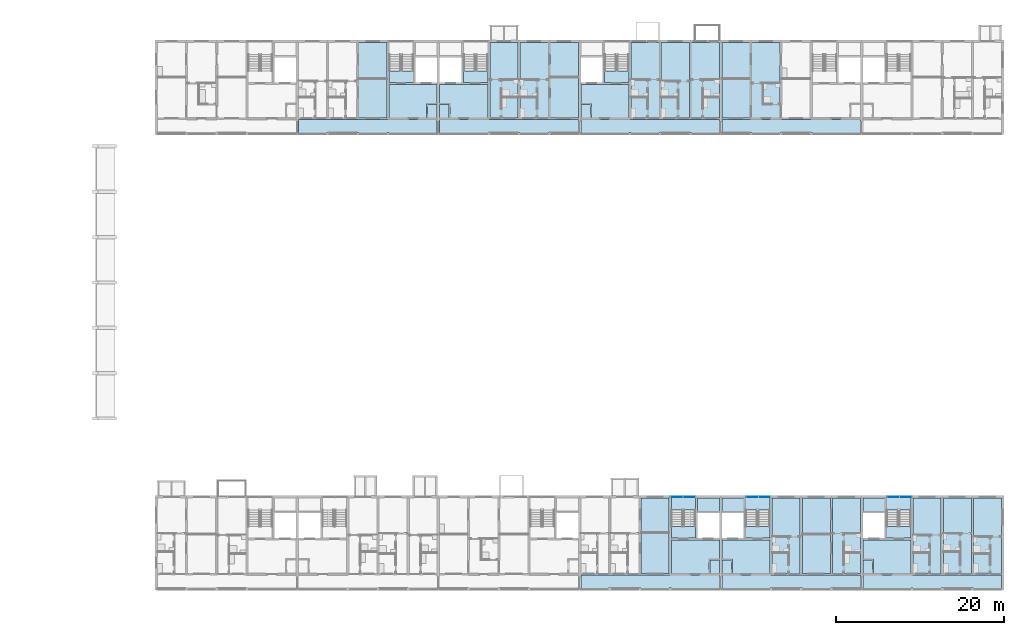
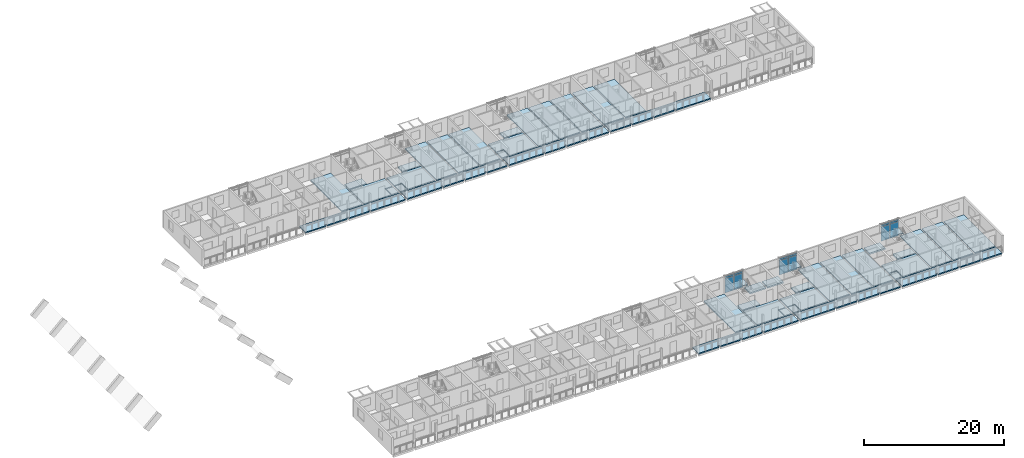
# One storey, part 28 of 98: 47 slabs, 12 plates, 6 elements without a shape of their own.
"""IFC4 building model written with IfcOpenShell, lengths in metres."""

from ifc_helpers import new_model, si_unit, direction, frame, origin, origin_2d, place, context, subcontext, project, spatial, polyline, rectangle, outline, extrude, material, layer, layer_set, type_object, element, aggregate, save


model = new_model("IFC4")

# Units and contexts
model_context = context("Model", 3, precision=1e-05, world=origin(), true_north=direction((0.0, 1.0)))
body_context = subcontext(model_context, "Body", "Model", "MODEL_VIEW")
ifc_project = project(units=[si_unit("LENGTHUNIT", "METRE"), si_unit("AREAUNIT", "SQUARE_METRE"), si_unit("VOLUMEUNIT", "CUBIC_METRE"), si_unit("PLANEANGLEUNIT", "RADIAN"), si_unit("MASSUNIT", "GRAM", prefix="KILO")], contexts=[model_context])

# Site, building, storey
site_placement = place(None, origin())
site = spatial("IfcSite", under=ifc_project, at=site_placement, CompositionType="ELEMENT")
building_placement = place(site_placement, origin())
building = spatial("IfcBuilding", under=site, at=building_placement, Name="Ridgestep Commons", CompositionType="ELEMENT")
storey_placement = place(building_placement, frame((0.0, 0.0, 12.0)))
storey = spatial("IfcBuildingStorey", under=building, at=storey_placement, Name="L04", CompositionType="ELEMENT", Elevation=12.0)

# Slabs
ifc_material_1 = material(Name="Precast concrete C40/50", Category="concrete")
ifc_layer_1 = layer(ifc_material_1, 0.199951171875)
ifc_layer_set_1 = layer_set([ifc_layer_1], Name="Gallery slab 200")
slab_type_1 = type_object("IfcSlabType", Name="Gallery slab 200", PredefinedType="FLOOR", material=ifc_layer_set_1)
slab_1_placement = place(storey_placement, frame((0.0, 0.0, -0.199951171875)))
element("IfcSlab", 1, at=slab_1_placement, inside=storey, type_object=slab_type_1, Name="Gallery slab C2 L04", PredefinedType="FLOOR", context=body_context, shape_type="SweptSolid", body=[
    extrude(outline(polyline([(180.25, 67.800048828125), (163.75, 67.800048828125), (163.75, 66.0), (167.074951171875, 66.0), (167.074951171875, 66.25), (167.324951171875, 66.25), (167.324951171875, 66.0), (170.675048828125, 66.0), (170.675048828125, 66.25), (170.925048828125, 66.25), (170.925048828125, 66.0), (174.27490234375, 66.0), (174.27490234375, 66.25), (174.52490234375, 66.25), (174.52490234375, 66.0), (180.25, 66.0), (180.25, 67.800048828125)])), origin(), (0.0, 0.0, 1.0), 0.199951171875),
])
slab_2_placement = place(storey_placement, frame((0.0, 0.0, -0.199951171875)))
element("IfcSlab", 2, at=slab_2_placement, inside=storey, type_object=slab_type_1, Name="Gallery slab C3 L04", PredefinedType="FLOOR", context=body_context, shape_type="SweptSolid", body=[
    extrude(outline(polyline([(197.050048828125, 67.800048828125), (180.550048828125, 67.800048828125), (180.550048828125, 66.0), (186.27490234375, 66.0), (186.27490234375, 66.25), (186.52490234375, 66.25), (186.52490234375, 66.0), (189.875, 66.0), (189.875, 66.25), (190.125, 66.25), (190.125, 66.0), (193.47509765625, 66.0), (193.47509765625, 66.25), (193.72509765625, 66.25), (193.72509765625, 66.0), (197.050048828125, 66.0), (197.050048828125, 67.800048828125)])), origin(), (0.0, 0.0, 1.0), 0.199951171875),
])
slab_3_placement = place(storey_placement, frame((0.0, 0.0, -0.199951171875)))
element("IfcSlab", 3, at=slab_3_placement, inside=storey, type_object=slab_type_1, Name="Gallery slab C4 L04", PredefinedType="FLOOR", context=body_context, shape_type="SweptSolid", body=[
    extrude(outline(polyline([(213.85009765625, 67.800048828125), (197.35009765625, 67.800048828125), (197.35009765625, 66.0), (203.074951171875, 66.0), (203.074951171875, 66.25), (203.324951171875, 66.25), (203.324951171875, 66.0), (206.675048828125, 66.0), (206.675048828125, 66.25), (206.925048828125, 66.25), (206.925048828125, 66.0), (210.27490234375, 66.0), (210.27490234375, 66.25), (210.52490234375, 66.25), (210.52490234375, 66.0), (213.85009765625, 66.0), (213.85009765625, 67.800048828125)])), origin(), (0.0, 0.0, 1.0), 0.199951171875),
])
slab_4_placement = place(storey_placement, frame((0.0, 0.0, -0.199951171875)))
element("IfcSlab", 4, at=slab_4_placement, inside=storey, type_object=slab_type_1, Name="Gallery slab C5 L04", PredefinedType="FLOOR", context=body_context, shape_type="SweptSolid", body=[
    extrude(outline(polyline([(230.64990234375, 67.800048828125), (214.14990234375, 67.800048828125), (214.14990234375, 66.0), (217.47509765625, 66.0), (217.47509765625, 66.25), (217.72509765625, 66.25), (217.72509765625, 66.0), (221.074951171875, 66.0), (221.074951171875, 66.25), (221.324951171875, 66.25), (221.324951171875, 66.0), (224.675048828125, 66.0), (224.675048828125, 66.25), (224.925048828125, 66.25), (224.925048828125, 66.0), (230.64990234375, 66.0), (230.64990234375, 67.800048828125)])), origin(), (0.0, 0.0, 1.0), 0.199951171875),
])
slab_5_placement = place(storey_placement, frame((0.0, 0.0, -0.199951171875)))
element("IfcSlab", 5, at=slab_5_placement, inside=storey, type_object=slab_type_1, Name="Gallery slab D4 L04", PredefinedType="FLOOR", context=body_context, shape_type="SweptSolid", body=[
    extrude(outline(polyline([(213.85009765625, 13.550048828125), (197.35009765625, 13.550048828125), (197.35009765625, 11.75), (200.675048828125, 11.75), (200.675048828125, 12.0), (200.925048828125, 12.0), (200.925048828125, 11.75), (204.27490234375, 11.75), (204.27490234375, 12.0), (204.52490234375, 12.0), (204.52490234375, 11.75), (207.875, 11.75), (207.875, 12.0), (208.125, 12.0), (208.125, 11.75), (213.85009765625, 11.75), (213.85009765625, 13.550048828125)])), origin(), (0.0, 0.0, 1.0), 0.199951171875),
])
slab_6_placement = place(storey_placement, frame((0.0, 0.0, -0.199951171875)))
element("IfcSlab", 6, at=slab_6_placement, inside=storey, type_object=slab_type_1, Name="Gallery slab D5 L04", PredefinedType="FLOOR", context=body_context, shape_type="SweptSolid", body=[
    extrude(outline(polyline([(230.64990234375, 13.550048828125), (214.14990234375, 13.550048828125), (214.14990234375, 11.75), (219.875, 11.75), (219.875, 12.0), (220.125, 12.0), (220.125, 11.75), (223.47509765625, 11.75), (223.47509765625, 12.0), (223.72509765625, 12.0), (223.72509765625, 11.75), (227.074951171875, 11.75), (227.074951171875, 12.0), (227.324951171875, 12.0), (227.324951171875, 11.75), (230.64990234375, 11.75), (230.64990234375, 13.550048828125)])), origin(), (0.0, 0.0, 1.0), 0.199951171875),
])
slab_7_placement = place(storey_placement, frame((0.0, 0.0, -0.199951171875)))
element("IfcSlab", 7, at=slab_7_placement, inside=storey, type_object=slab_type_1, Name="Gallery slab D6 L04", PredefinedType="FLOOR", context=body_context, shape_type="SweptSolid", body=[
    extrude(outline(polyline([(247.449951171875, 13.550048828125), (230.949951171875, 13.550048828125), (230.949951171875, 11.75), (236.675048828125, 11.75), (236.675048828125, 12.0), (236.925048828125, 12.0), (236.925048828125, 11.75), (240.27490234375, 11.75), (240.27490234375, 12.0), (240.52490234375, 12.0), (240.52490234375, 11.75), (243.875, 11.75), (243.875, 12.0), (244.125, 12.0), (244.125, 11.75), (247.449951171875, 11.75), (247.449951171875, 13.550048828125)])), origin(), (0.0, 0.0, 1.0), 0.199951171875),
])

# Curtain wall, plates
ifc_material_2 = material(Name="Aluminium 6063-T6 and glass", Category="aluminium")
curtain_wall_type = type_object("IfcCurtainWallType", Name="Curtain wall stair strip", PredefinedType="NOTDEFINED", material=ifc_material_2)
curtain_wall_1_placement = place(storey_placement, origin())
curtain_wall_1 = element("IfcCurtainWall", 8, at=curtain_wall_1_placement, inside=storey, type_object=curtain_wall_type, Name="Curtain wall D4C level 04", PredefinedType="NOTDEFINED")
ifc_material_3 = material(Name="Glass laminated 6/16/6 low-emissivity", Category="glass")
ifc_layer_2 = layer(ifc_material_3, 0.028076171875)
ifc_layer_set_2 = layer_set([ifc_layer_2], Name="Glazing panel 28")
plate_type_1 = type_object("IfcPlateType", Name="Glazing panel 28", PredefinedType="CURTAIN_PANEL", material=ifc_layer_set_2)
plate_1_placement = place(storey_placement, frame((208.771240234375, 22.830078125, 0.06005859375), z_axis=(0.0, 0.0, 1.0), x_axis=(1.0, 0.0, 0.0)))
plate_1 = element("IfcPlate", 9, at=plate_1_placement, type_object=plate_type_1, Name="CW1 panel 1.1", PredefinedType="CURTAIN_PANEL", context=body_context, shape_type="SweptSolid", body=[
    extrude(rectangle(XDim=1.422607421875, YDim=0.028076171875, at=origin_2d()), origin(), (0.0, 0.0, 1.0), 2.5),
])
plate_2_placement = place(storey_placement, frame((210.253662109375, 22.830078125, 0.06005859375), z_axis=(0.0, 0.0, 1.0), x_axis=(1.0, 0.0, 0.0)))
plate_2 = element("IfcPlate", 10, at=plate_2_placement, type_object=plate_type_1, Name="CW1 panel 2.1", PredefinedType="CURTAIN_PANEL", context=body_context, shape_type="SweptSolid", body=[
    extrude(rectangle(XDim=1.422607421875, YDim=0.028076171875, at=origin_2d()), origin(), (0.0, 0.0, 1.0), 2.5),
])

curtain_wall_2_placement = place(storey_placement, origin())
curtain_wall_2 = element("IfcCurtainWall", 11, at=curtain_wall_2_placement, inside=storey, type_object=curtain_wall_type, Name="Curtain wall D5C level 04", PredefinedType="NOTDEFINED")
plate_3_placement = place(storey_placement, frame((217.746337890625, 22.830078125, 0.06005859375), z_axis=(0.0, 0.0, 1.0), x_axis=(1.0, 0.0, 0.0)))
plate_3 = element("IfcPlate", 12, at=plate_3_placement, type_object=plate_type_1, Name="CW1 panel 1.1", PredefinedType="CURTAIN_PANEL", context=body_context, shape_type="SweptSolid", body=[
    extrude(rectangle(XDim=1.422607421875, YDim=0.028076171875, at=origin_2d()), origin(), (0.0, 0.0, 1.0), 2.5),
])
plate_4_placement = place(storey_placement, frame((219.228759765625, 22.830078125, 0.06005859375), z_axis=(0.0, 0.0, 1.0), x_axis=(1.0, 0.0, 0.0)))
plate_4 = element("IfcPlate", 13, at=plate_4_placement, type_object=plate_type_1, Name="CW1 panel 2.1", PredefinedType="CURTAIN_PANEL", context=body_context, shape_type="SweptSolid", body=[
    extrude(rectangle(XDim=1.422607421875, YDim=0.028076171875, at=origin_2d()), origin(), (0.0, 0.0, 1.0), 2.5),
])

curtain_wall_3_placement = place(storey_placement, origin())
curtain_wall_3 = element("IfcCurtainWall", 14, at=curtain_wall_3_placement, inside=storey, type_object=curtain_wall_type, Name="Curtain wall D6C level 04", PredefinedType="NOTDEFINED")
plate_5_placement = place(storey_placement, frame((234.546142578125, 22.830078125, 0.06005859375), z_axis=(0.0, 0.0, 1.0), x_axis=(1.0, 0.0, 0.0)))
plate_5 = element("IfcPlate", 15, at=plate_5_placement, type_object=plate_type_1, Name="CW1 panel 1.1", PredefinedType="CURTAIN_PANEL", context=body_context, shape_type="SweptSolid", body=[
    extrude(rectangle(XDim=1.422607421875, YDim=0.028076171875, at=origin_2d()), origin(), (0.0, 0.0, 1.0), 2.5),
])
plate_6_placement = place(storey_placement, frame((236.02880859375, 22.830078125, 0.06005859375), z_axis=(0.0, 0.0, 1.0), x_axis=(1.0, 0.0, 0.0)))
plate_6 = element("IfcPlate", 16, at=plate_6_placement, type_object=plate_type_1, Name="CW1 panel 2.1", PredefinedType="CURTAIN_PANEL", context=body_context, shape_type="SweptSolid", body=[
    extrude(rectangle(XDim=1.422607421875, YDim=0.028076171875, at=origin_2d()), origin(), (0.0, 0.0, 1.0), 2.5),
])

# Slabs
ifc_material_4 = material(Name="Precast concrete C50/60", Category="concrete")
ifc_layer_3 = layer(ifc_material_4, 0.199951171875)
ifc_layer_set_3 = layer_set([ifc_layer_3], Name="Hollow-core plank 200")
slab_type_2 = type_object("IfcSlabType", Name="Hollow-core plank 200", PredefinedType="FLOOR", material=ifc_layer_set_3)
slab_8_placement = place(storey_placement, frame((0.0, 0.0, -0.199951171875)))
element("IfcSlab", 17, at=slab_8_placement, inside=storey, type_object=slab_type_2, Name="Floor plank C2T3 L04", PredefinedType="FLOOR", context=body_context, shape_type="SweptSolid", body=[
    extrude(outline(polyline([(174.27490234375, 68.0), (174.27490234375, 77.0), (170.89990234375, 77.0), (170.89990234375, 68.0), (174.27490234375, 68.0)])), origin(), (0.0, 0.0, 1.0), 0.199951171875),
])
slab_9_placement = place(storey_placement, frame((0.0, 0.0, -0.199951171875)))
element("IfcSlab", 18, at=slab_9_placement, inside=storey, type_object=slab_type_2, Name="Floor plank C3T3 L04", PredefinedType="FLOOR", context=body_context, shape_type="SweptSolid", body=[
    extrude(outline(polyline([(189.875, 68.0), (189.875, 77.0), (186.52490234375, 77.0), (186.52490234375, 68.0), (189.875, 68.0)])), origin(), (0.0, 0.0, 1.0), 0.199951171875),
])
slab_10_placement = place(storey_placement, frame((0.0, 0.0, -0.199951171875)))
element("IfcSlab", 19, at=slab_10_placement, inside=storey, type_object=slab_type_2, Name="Floor plank C3T2 L04", PredefinedType="FLOOR", context=body_context, shape_type="SweptSolid", body=[
    extrude(outline(polyline([(193.5, 68.0), (193.5, 77.0), (190.125, 77.0), (190.125, 68.0), (193.5, 68.0)])), origin(), (0.0, 0.0, 1.0), 0.199951171875),
])
slab_11_placement = place(storey_placement, frame((0.0, 0.0, -0.199951171875)))
element("IfcSlab", 20, at=slab_11_placement, inside=storey, type_object=slab_type_2, Name="Floor plank C3T1 L04", PredefinedType="FLOOR", context=body_context, shape_type="SweptSolid", body=[
    extrude(outline(polyline([(197.050048828125, 68.0), (197.050048828125, 77.0), (193.699951171875, 77.0), (193.699951171875, 68.0), (197.050048828125, 68.0)])), origin(), (0.0, 0.0, 1.0), 0.199951171875),
])
slab_12_placement = place(storey_placement, frame((0.0, 0.0, -0.199951171875)))
element("IfcSlab", 21, at=slab_12_placement, inside=storey, type_object=slab_type_2, Name="Floor plank C4T3 L04", PredefinedType="FLOOR", context=body_context, shape_type="SweptSolid", body=[
    extrude(outline(polyline([(206.699951171875, 68.0), (206.699951171875, 77.0), (203.324951171875, 77.0), (203.324951171875, 68.0), (206.699951171875, 68.0)])), origin(), (0.0, 0.0, 1.0), 0.199951171875),
])
slab_13_placement = place(storey_placement, frame((0.0, 0.0, -0.199951171875)))
element("IfcSlab", 22, at=slab_13_placement, inside=storey, type_object=slab_type_2, Name="Floor plank C4T2 L04", PredefinedType="FLOOR", context=body_context, shape_type="SweptSolid", body=[
    extrude(outline(polyline([(210.300048828125, 68.0), (210.300048828125, 77.0), (206.89990234375, 77.0), (206.89990234375, 68.0), (210.300048828125, 68.0)])), origin(), (0.0, 0.0, 1.0), 0.199951171875),
])
slab_14_placement = place(storey_placement, frame((0.0, 0.0, -0.199951171875)))
element("IfcSlab", 23, at=slab_14_placement, inside=storey, type_object=slab_type_2, Name="Floor plank C4T1 L04", PredefinedType="FLOOR", context=body_context, shape_type="SweptSolid", body=[
    extrude(outline(polyline([(213.85009765625, 68.0), (213.85009765625, 77.0), (210.5, 77.0), (210.5, 68.0), (213.85009765625, 68.0)])), origin(), (0.0, 0.0, 1.0), 0.199951171875),
])
slab_15_placement = place(storey_placement, frame((0.0, 0.0, -0.199951171875)))
element("IfcSlab", 24, at=slab_15_placement, inside=storey, type_object=slab_type_2, Name="Floor plank C5T1 L04", PredefinedType="FLOOR", context=body_context, shape_type="SweptSolid", body=[
    extrude(outline(polyline([(217.5, 68.0), (217.5, 77.0), (214.14990234375, 77.0), (214.14990234375, 68.0), (217.5, 68.0)])), origin(), (0.0, 0.0, 1.0), 0.199951171875),
])
slab_16_placement = place(storey_placement, frame((0.0, 0.0, -0.199951171875)))
element("IfcSlab", 25, at=slab_16_placement, inside=storey, type_object=slab_type_2, Name="Floor plank C5T2 L04", PredefinedType="FLOOR", context=body_context, shape_type="SweptSolid", body=[
    extrude(outline(polyline([(221.074951171875, 68.0), (221.074951171875, 77.0), (217.699951171875, 77.0), (217.699951171875, 68.0), (221.074951171875, 68.0)])), origin(), (0.0, 0.0, 1.0), 0.199951171875),
])
slab_17_placement = place(storey_placement, frame((0.0, 0.0, -0.199951171875)))
element("IfcSlab", 26, at=slab_17_placement, inside=storey, type_object=slab_type_2, Name="Floor plank D4T3 L04", PredefinedType="FLOOR", context=body_context, shape_type="SweptSolid", body=[
    extrude(outline(polyline([(207.875, 13.75), (207.875, 22.75), (204.52490234375, 22.75), (204.52490234375, 13.75), (207.875, 13.75)])), origin(), (0.0, 0.0, 1.0), 0.199951171875),
])
slab_18_placement = place(storey_placement, frame((0.0, 0.0, -0.199951171875)))
element("IfcSlab", 27, at=slab_18_placement, inside=storey, type_object=slab_type_2, Name="Floor plank D5T3 L04", PredefinedType="FLOOR", context=body_context, shape_type="SweptSolid", body=[
    extrude(outline(polyline([(223.47509765625, 13.75), (223.47509765625, 22.75), (220.125, 22.75), (220.125, 13.75), (223.47509765625, 13.75)])), origin(), (0.0, 0.0, 1.0), 0.199951171875),
])
slab_19_placement = place(storey_placement, frame((0.0, 0.0, -0.199951171875)))
element("IfcSlab", 28, at=slab_19_placement, inside=storey, type_object=slab_type_2, Name="Floor plank D5T2 L04", PredefinedType="FLOOR", context=body_context, shape_type="SweptSolid", body=[
    extrude(outline(polyline([(227.074951171875, 13.75), (227.074951171875, 22.75), (223.72509765625, 22.75), (223.72509765625, 13.75), (227.074951171875, 13.75)])), origin(), (0.0, 0.0, 1.0), 0.199951171875),
])
slab_20_placement = place(storey_placement, frame((0.0, 0.0, -0.199951171875)))
element("IfcSlab", 29, at=slab_20_placement, inside=storey, type_object=slab_type_2, Name="Floor plank D5T1 L04", PredefinedType="FLOOR", context=body_context, shape_type="SweptSolid", body=[
    extrude(outline(polyline([(230.64990234375, 13.75), (230.64990234375, 22.75), (227.324951171875, 22.75), (227.324951171875, 13.75), (230.64990234375, 13.75)])), origin(), (0.0, 0.0, 1.0), 0.199951171875),
])
slab_21_placement = place(storey_placement, frame((0.0, 0.0, -0.199951171875)))
element("IfcSlab", 30, at=slab_21_placement, inside=storey, type_object=slab_type_2, Name="Floor plank D6T3 L04", PredefinedType="FLOOR", context=body_context, shape_type="SweptSolid", body=[
    extrude(outline(polyline([(240.27490234375, 13.75), (240.27490234375, 22.75), (236.925048828125, 22.75), (236.925048828125, 13.75), (240.27490234375, 13.75)])), origin(), (0.0, 0.0, 1.0), 0.199951171875),
])
slab_22_placement = place(storey_placement, frame((0.0, 0.0, -0.199951171875)))
element("IfcSlab", 31, at=slab_22_placement, inside=storey, type_object=slab_type_2, Name="Floor plank D6T2 L04", PredefinedType="FLOOR", context=body_context, shape_type="SweptSolid", body=[
    extrude(outline(polyline([(243.875, 13.75), (243.875, 22.75), (240.52490234375, 22.75), (240.52490234375, 13.75), (243.875, 13.75)])), origin(), (0.0, 0.0, 1.0), 0.199951171875),
])
slab_23_placement = place(storey_placement, frame((0.0, 0.0, -0.199951171875)))
element("IfcSlab", 32, at=slab_23_placement, inside=storey, type_object=slab_type_2, Name="Floor plank D6T1 L04", PredefinedType="FLOOR", context=body_context, shape_type="SweptSolid", body=[
    extrude(outline(polyline([(247.449951171875, 13.75), (247.449951171875, 22.75), (244.125, 22.75), (244.125, 13.75), (247.449951171875, 13.75)])), origin(), (0.0, 0.0, 1.0), 0.199951171875),
])
ifc_material_5 = material(Name="Precast concrete C50/60", Category="concrete")
ifc_layer_4 = layer(ifc_material_5, 0.25)
ifc_layer_set_4 = layer_set([ifc_layer_4], Name="Hollow-core plank 250")
slab_type_3 = type_object("IfcSlabType", Name="Hollow-core plank 250", PredefinedType="FLOOR", material=ifc_layer_set_4)
slab_24_placement = place(storey_placement, frame((0.0, 0.0, -0.25)))
element("IfcSlab", 33, at=slab_24_placement, inside=storey, type_object=slab_type_3, Name="Floor plank C2C L04", PredefinedType="FLOOR", context=body_context, shape_type="SweptSolid", body=[
    extrude(outline(polyline([(179.1201171875, 69.719970703125), (180.25, 69.719970703125), (180.25, 72.0), (174.52490234375, 72.0), (174.52490234375, 68.0), (179.0, 68.0), (179.0, 69.719970703125), (179.1201171875, 69.719970703125)])), origin(), (0.0, 0.0, 1.0), 0.25),
])
slab_25_placement = place(storey_placement, frame((0.0, 0.0, -0.25)))
element("IfcSlab", 34, at=slab_25_placement, inside=storey, type_object=slab_type_3, Name="Floor plank C2C L04", PredefinedType="FLOOR", context=body_context, shape_type="SweptSolid", body=[
    extrude(outline(polyline([(177.425048828125, 72.199951171875), (177.425048828125, 73.60009765625), (174.52490234375, 73.60009765625), (174.52490234375, 72.199951171875), (177.425048828125, 72.199951171875)])), origin(), (0.0, 0.0, 1.0), 0.25),
])
slab_26_placement = place(storey_placement, frame((0.0, 0.0, -0.25)))
element("IfcSlab", 35, at=slab_26_placement, inside=storey, type_object=slab_type_3, Name="Floor plank C2C L04", PredefinedType="FLOOR", context=body_context, shape_type="SweptSolid", body=[
    extrude(outline(polyline([(179.1201171875, 68.0), (180.25, 68.0), (180.25, 69.60009765625), (179.1201171875, 69.60009765625), (179.1201171875, 68.0)])), origin(), (0.0, 0.0, 1.0), 0.25),
])
slab_27_placement = place(storey_placement, frame((0.0, 0.0, -0.25)))
element("IfcSlab", 36, at=slab_27_placement, inside=storey, type_object=slab_type_3, Name="Floor plank C3C L04", PredefinedType="FLOOR", context=body_context, shape_type="SweptSolid", body=[
    extrude(outline(polyline([(181.800048828125, 68.0), (186.27490234375, 68.0), (186.27490234375, 72.0), (180.550048828125, 72.0), (180.550048828125, 69.719970703125), (181.679931640625, 69.719970703125), (181.800048828125, 69.719970703125), (181.800048828125, 68.0)])), origin(), (0.0, 0.0, 1.0), 0.25),
])
slab_28_placement = place(storey_placement, frame((0.0, 0.0, -0.25)))
element("IfcSlab", 37, at=slab_28_placement, inside=storey, type_object=slab_type_3, Name="Floor plank C3C L04", PredefinedType="FLOOR", context=body_context, shape_type="SweptSolid", body=[
    extrude(outline(polyline([(186.27490234375, 72.199951171875), (186.27490234375, 73.60009765625), (183.375, 73.60009765625), (183.375, 72.199951171875), (186.27490234375, 72.199951171875)])), origin(), (0.0, 0.0, 1.0), 0.25),
])
slab_29_placement = place(storey_placement, frame((0.0, 0.0, -0.25)))
element("IfcSlab", 38, at=slab_29_placement, inside=storey, type_object=slab_type_3, Name="Floor plank C3C L04", PredefinedType="FLOOR", context=body_context, shape_type="SweptSolid", body=[
    extrude(outline(polyline([(181.679931640625, 69.60009765625), (180.550048828125, 69.60009765625), (180.550048828125, 68.0), (181.679931640625, 68.0), (181.679931640625, 69.60009765625)])), origin(), (0.0, 0.0, 1.0), 0.25),
])
slab_30_placement = place(storey_placement, frame((0.0, 0.0, -0.25)))
element("IfcSlab", 39, at=slab_30_placement, inside=storey, type_object=slab_type_3, Name="Floor plank C4C L04", PredefinedType="FLOOR", context=body_context, shape_type="SweptSolid", body=[
    extrude(outline(polyline([(198.60009765625, 68.0), (203.074951171875, 68.0), (203.074951171875, 72.0), (197.35009765625, 72.0), (197.35009765625, 69.719970703125), (198.47998046875, 69.719970703125), (198.60009765625, 69.719970703125), (198.60009765625, 68.0)])), origin(), (0.0, 0.0, 1.0), 0.25),
])
slab_31_placement = place(storey_placement, frame((0.0, 0.0, -0.25)))
element("IfcSlab", 40, at=slab_31_placement, inside=storey, type_object=slab_type_3, Name="Floor plank C4C L04", PredefinedType="FLOOR", context=body_context, shape_type="SweptSolid", body=[
    extrude(outline(polyline([(203.074951171875, 72.199951171875), (203.074951171875, 73.60009765625), (200.175048828125, 73.60009765625), (200.175048828125, 72.199951171875), (203.074951171875, 72.199951171875)])), origin(), (0.0, 0.0, 1.0), 0.25),
])
slab_32_placement = place(storey_placement, frame((0.0, 0.0, -0.25)))
element("IfcSlab", 41, at=slab_32_placement, inside=storey, type_object=slab_type_3, Name="Floor plank C4C L04", PredefinedType="FLOOR", context=body_context, shape_type="SweptSolid", body=[
    extrude(outline(polyline([(198.47998046875, 69.60009765625), (197.35009765625, 69.60009765625), (197.35009765625, 68.0), (198.47998046875, 68.0), (198.47998046875, 69.60009765625)])), origin(), (0.0, 0.0, 1.0), 0.25),
])
slab_33_placement = place(storey_placement, frame((0.0, 0.0, -0.25)))
element("IfcSlab", 42, at=slab_33_placement, inside=storey, type_object=slab_type_3, Name="Floor plank D4C L04", PredefinedType="FLOOR", context=body_context, shape_type="SweptSolid", body=[
    extrude(outline(polyline([(212.719970703125, 15.469970703125), (213.85009765625, 15.469970703125), (213.85009765625, 17.75), (208.125, 17.75), (208.125, 13.75), (212.60009765625, 13.75), (212.60009765625, 15.469970703125), (212.719970703125, 15.469970703125)])), origin(), (0.0, 0.0, 1.0), 0.25),
])
slab_34_placement = place(storey_placement, frame((0.0, 0.0, -0.25)))
element("IfcSlab", 43, at=slab_34_placement, inside=storey, type_object=slab_type_3, Name="Floor plank D4C L04", PredefinedType="FLOOR", context=body_context, shape_type="SweptSolid", body=[
    extrude(outline(polyline([(213.85009765625, 21.14990234375), (213.85009765625, 22.75), (211.22509765625, 22.75), (211.22509765625, 21.14990234375), (213.85009765625, 21.14990234375)])), origin(), (0.0, 0.0, 1.0), 0.25),
])
slab_35_placement = place(storey_placement, frame((0.0, 0.0, -0.25)))
element("IfcSlab", 44, at=slab_35_placement, inside=storey, type_object=slab_type_3, Name="Floor plank D4C L04", PredefinedType="FLOOR", context=body_context, shape_type="SweptSolid", body=[
    extrude(outline(polyline([(211.02490234375, 17.949951171875), (211.02490234375, 19.35009765625), (208.125, 19.35009765625), (208.125, 17.949951171875), (211.02490234375, 17.949951171875)])), origin(), (0.0, 0.0, 1.0), 0.25),
])
slab_36_placement = place(storey_placement, frame((0.0, 0.0, -0.25)))
element("IfcSlab", 45, at=slab_36_placement, inside=storey, type_object=slab_type_3, Name="Floor plank D4C L04", PredefinedType="FLOOR", context=body_context, shape_type="SweptSolid", body=[
    extrude(outline(polyline([(212.719970703125, 13.75), (213.85009765625, 13.75), (213.85009765625, 15.35009765625), (212.719970703125, 15.35009765625), (212.719970703125, 13.75)])), origin(), (0.0, 0.0, 1.0), 0.25),
])
slab_37_placement = place(storey_placement, frame((0.0, 0.0, -0.25)))
element("IfcSlab", 46, at=slab_37_placement, inside=storey, type_object=slab_type_3, Name="Floor plank D5C L04", PredefinedType="FLOOR", context=body_context, shape_type="SweptSolid", body=[
    extrude(outline(polyline([(215.39990234375, 13.75), (219.875, 13.75), (219.875, 17.75), (214.14990234375, 17.75), (214.14990234375, 15.469970703125), (215.280029296875, 15.469970703125), (215.39990234375, 15.469970703125), (215.39990234375, 13.75)])), origin(), (0.0, 0.0, 1.0), 0.25),
])
slab_38_placement = place(storey_placement, frame((0.0, 0.0, -0.25)))
element("IfcSlab", 47, at=slab_38_placement, inside=storey, type_object=slab_type_3, Name="Floor plank D5C L04", PredefinedType="FLOOR", context=body_context, shape_type="SweptSolid", body=[
    extrude(outline(polyline([(216.77490234375, 22.75), (214.14990234375, 22.75), (214.14990234375, 21.14990234375), (216.77490234375, 21.14990234375), (216.77490234375, 22.75)])), origin(), (0.0, 0.0, 1.0), 0.25),
])
slab_39_placement = place(storey_placement, frame((0.0, 0.0, -0.25)))
element("IfcSlab", 48, at=slab_39_placement, inside=storey, type_object=slab_type_3, Name="Floor plank D5C L04", PredefinedType="FLOOR", context=body_context, shape_type="SweptSolid", body=[
    extrude(outline(polyline([(219.875, 17.949951171875), (219.875, 19.35009765625), (216.97509765625, 19.35009765625), (216.97509765625, 17.949951171875), (219.875, 17.949951171875)])), origin(), (0.0, 0.0, 1.0), 0.25),
])
slab_40_placement = place(storey_placement, frame((0.0, 0.0, -0.25)))
element("IfcSlab", 49, at=slab_40_placement, inside=storey, type_object=slab_type_3, Name="Floor plank D5C L04", PredefinedType="FLOOR", context=body_context, shape_type="SweptSolid", body=[
    extrude(outline(polyline([(215.280029296875, 15.35009765625), (214.14990234375, 15.35009765625), (214.14990234375, 13.75), (215.280029296875, 13.75), (215.280029296875, 15.35009765625)])), origin(), (0.0, 0.0, 1.0), 0.25),
])
slab_41_placement = place(storey_placement, frame((0.0, 0.0, -0.25)))
element("IfcSlab", 50, at=slab_41_placement, inside=storey, type_object=slab_type_3, Name="Floor plank D6C L04", PredefinedType="FLOOR", context=body_context, shape_type="SweptSolid", body=[
    extrude(outline(polyline([(232.199951171875, 13.75), (236.675048828125, 13.75), (236.675048828125, 17.75), (230.949951171875, 17.75), (230.949951171875, 15.469970703125), (232.080078125, 15.469970703125), (232.199951171875, 15.469970703125), (232.199951171875, 13.75)])), origin(), (0.0, 0.0, 1.0), 0.25),
])
slab_42_placement = place(storey_placement, frame((0.0, 0.0, -0.25)))
element("IfcSlab", 51, at=slab_42_placement, inside=storey, type_object=slab_type_3, Name="Floor plank D6C L04", PredefinedType="FLOOR", context=body_context, shape_type="SweptSolid", body=[
    extrude(outline(polyline([(233.574951171875, 22.75), (230.949951171875, 22.75), (230.949951171875, 21.14990234375), (233.574951171875, 21.14990234375), (233.574951171875, 22.75)])), origin(), (0.0, 0.0, 1.0), 0.25),
])
slab_43_placement = place(storey_placement, frame((0.0, 0.0, -0.25)))
element("IfcSlab", 52, at=slab_43_placement, inside=storey, type_object=slab_type_3, Name="Floor plank D6C L04", PredefinedType="FLOOR", context=body_context, shape_type="SweptSolid", body=[
    extrude(outline(polyline([(236.675048828125, 17.949951171875), (236.675048828125, 19.35009765625), (233.77490234375, 19.35009765625), (233.77490234375, 17.949951171875), (236.675048828125, 17.949951171875)])), origin(), (0.0, 0.0, 1.0), 0.25),
])
slab_44_placement = place(storey_placement, frame((0.0, 0.0, -0.25)))
element("IfcSlab", 53, at=slab_44_placement, inside=storey, type_object=slab_type_3, Name="Floor plank D6C L04", PredefinedType="FLOOR", context=body_context, shape_type="SweptSolid", body=[
    extrude(outline(polyline([(232.080078125, 15.35009765625), (230.949951171875, 15.35009765625), (230.949951171875, 13.75), (232.080078125, 13.75), (232.080078125, 15.35009765625)])), origin(), (0.0, 0.0, 1.0), 0.25),
])

# Plate
ifc_material_6 = material(Name="Aluminium 6063-T6 and mineral wool", Category="aluminium")
ifc_layer_5 = layer(ifc_material_6, 0.0400390625)
ifc_layer_set_5 = layer_set([ifc_layer_5], Name="Spandrel panel 40")
plate_type_2 = type_object("IfcPlateType", Name="Spandrel panel 40", PredefinedType="CURTAIN_PANEL", material=ifc_layer_set_5)
plate_7_placement = place(storey_placement, frame((208.771240234375, 22.830078125, 2.6201171875), z_axis=(0.0, 0.0, 1.0), x_axis=(1.0, 0.0, 0.0)))
plate_7 = element("IfcPlate", 54, at=plate_7_placement, type_object=plate_type_2, Name="CW1 panel 1.2", PredefinedType="CURTAIN_PANEL", context=body_context, shape_type="SweptSolid", body=[
    extrude(rectangle(XDim=1.422607421875, YDim=0.0400390625, at=origin_2d()), origin(), (0.0, 0.0, 1.0), 0.320068359375),
])

plate_8_placement = place(storey_placement, frame((210.253662109375, 22.830078125, 2.6201171875), z_axis=(0.0, 0.0, 1.0), x_axis=(1.0, 0.0, 0.0)))
plate_8 = element("IfcPlate", 55, at=plate_8_placement, type_object=plate_type_2, Name="CW1 panel 2.2", PredefinedType="CURTAIN_PANEL", context=body_context, shape_type="SweptSolid", body=[
    extrude(rectangle(XDim=1.422607421875, YDim=0.0400390625, at=origin_2d()), origin(), (0.0, 0.0, 1.0), 0.320068359375),
])

aggregate(curtain_wall_1, [plate_1, plate_7, plate_2, plate_8])

plate_9_placement = place(storey_placement, frame((217.746337890625, 22.830078125, 2.6201171875), z_axis=(0.0, 0.0, 1.0), x_axis=(1.0, 0.0, 0.0)))
plate_9 = element("IfcPlate", 56, at=plate_9_placement, type_object=plate_type_2, Name="CW1 panel 1.2", PredefinedType="CURTAIN_PANEL", context=body_context, shape_type="SweptSolid", body=[
    extrude(rectangle(XDim=1.422607421875, YDim=0.0400390625, at=origin_2d()), origin(), (0.0, 0.0, 1.0), 0.320068359375),
])

plate_10_placement = place(storey_placement, frame((219.228759765625, 22.830078125, 2.6201171875), z_axis=(0.0, 0.0, 1.0), x_axis=(1.0, 0.0, 0.0)))
plate_10 = element("IfcPlate", 57, at=plate_10_placement, type_object=plate_type_2, Name="CW1 panel 2.2", PredefinedType="CURTAIN_PANEL", context=body_context, shape_type="SweptSolid", body=[
    extrude(rectangle(XDim=1.422607421875, YDim=0.0400390625, at=origin_2d()), origin(), (0.0, 0.0, 1.0), 0.320068359375),
])

aggregate(curtain_wall_2, [plate_3, plate_9, plate_4, plate_10])

plate_11_placement = place(storey_placement, frame((234.546142578125, 22.830078125, 2.6201171875), z_axis=(0.0, 0.0, 1.0), x_axis=(1.0, 0.0, 0.0)))
plate_11 = element("IfcPlate", 58, at=plate_11_placement, type_object=plate_type_2, Name="CW1 panel 1.2", PredefinedType="CURTAIN_PANEL", context=body_context, shape_type="SweptSolid", body=[
    extrude(rectangle(XDim=1.422607421875, YDim=0.0400390625, at=origin_2d()), origin(), (0.0, 0.0, 1.0), 0.320068359375),
])

plate_12_placement = place(storey_placement, frame((236.02880859375, 22.830078125, 2.6201171875), z_axis=(0.0, 0.0, 1.0), x_axis=(1.0, 0.0, 0.0)))
plate_12 = element("IfcPlate", 59, at=plate_12_placement, type_object=plate_type_2, Name="CW1 panel 2.2", PredefinedType="CURTAIN_PANEL", context=body_context, shape_type="SweptSolid", body=[
    extrude(rectangle(XDim=1.422607421875, YDim=0.0400390625, at=origin_2d()), origin(), (0.0, 0.0, 1.0), 0.320068359375),
])

aggregate(curtain_wall_3, [plate_5, plate_11, plate_6, plate_12])

# Stair, slab
ifc_material_7 = material(Name="Precast concrete C40/50", Category="concrete")
stair_type = type_object("IfcStairType", Name="Escape stair 1400", PredefinedType="HALF_TURN_STAIR", material=ifc_material_7)
stair_1_placement = place(storey_placement, origin())
stair_1 = element("IfcStair", 60, at=stair_1_placement, inside=storey, type_object=stair_type, Name="L04 Escape stair D4C", PredefinedType="HALF_TURN_STAIR")
ifc_material_8 = material(Name="Precast concrete C40/50", Category="concrete")
ifc_layer_6 = layer(ifc_material_8, 0.199951171875)
ifc_layer_set_6 = layer_set([ifc_layer_6], Name="Stair landing 200")
slab_type_4 = type_object("IfcSlabType", Name="Stair landing 200", PredefinedType="LANDING", material=ifc_layer_set_6)
slab_45_placement = place(storey_placement, frame((0.0, 0.0, 1.300048828125)))
slab_45 = element("IfcSlab", 61, at=slab_45_placement, type_object=slab_type_4, Name="D4C landing 1", PredefinedType="LANDING", context=body_context, shape_type="SweptSolid", body=[
    extrude(outline(polyline([(211.02490234375, 21.31005859375), (211.02490234375, 22.75), (208.125, 22.75), (208.125, 21.31005859375), (211.02490234375, 21.31005859375)])), origin(), (0.0, 0.0, 1.0), 0.199951171875),
])
aggregate(stair_1, [slab_45])

stair_2_placement = place(storey_placement, origin())
stair_2 = element("IfcStair", 62, at=stair_2_placement, inside=storey, type_object=stair_type, Name="L04 Escape stair D5C", PredefinedType="HALF_TURN_STAIR")
slab_46_placement = place(storey_placement, frame((0.0, 0.0, 1.300048828125)))
slab_46 = element("IfcSlab", 63, at=slab_46_placement, type_object=slab_type_4, Name="D5C landing 1", PredefinedType="LANDING", context=body_context, shape_type="SweptSolid", body=[
    extrude(outline(polyline([(219.875, 21.31005859375), (219.875, 22.75), (216.97509765625, 22.75), (216.97509765625, 21.31005859375), (219.875, 21.31005859375)])), origin(), (0.0, 0.0, 1.0), 0.199951171875),
])
aggregate(stair_2, [slab_46])

stair_3_placement = place(storey_placement, origin())
stair_3 = element("IfcStair", 64, at=stair_3_placement, inside=storey, type_object=stair_type, Name="L04 Escape stair D6C", PredefinedType="HALF_TURN_STAIR")
slab_47_placement = place(storey_placement, frame((0.0, 0.0, 1.300048828125)))
slab_47 = element("IfcSlab", 65, at=slab_47_placement, type_object=slab_type_4, Name="D6C landing 1", PredefinedType="LANDING", context=body_context, shape_type="SweptSolid", body=[
    extrude(outline(polyline([(236.675048828125, 21.31005859375), (236.675048828125, 22.75), (233.77490234375, 22.75), (233.77490234375, 21.31005859375), (236.675048828125, 21.31005859375)])), origin(), (0.0, 0.0, 1.0), 0.199951171875),
])
aggregate(stair_3, [slab_47])

save(model, "model.ifc")
